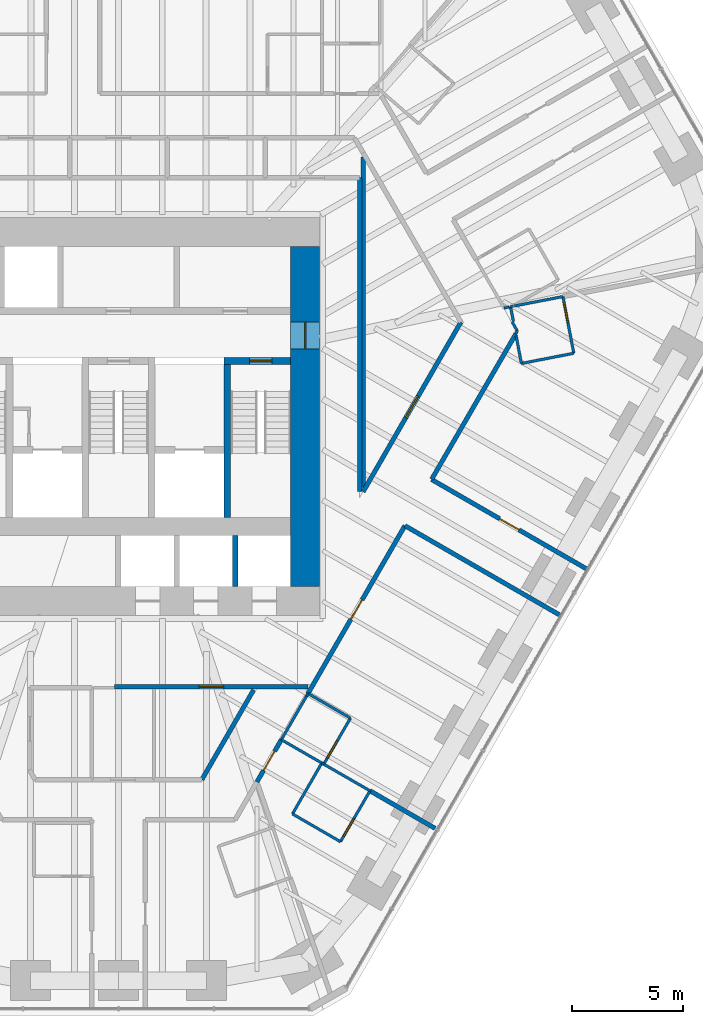
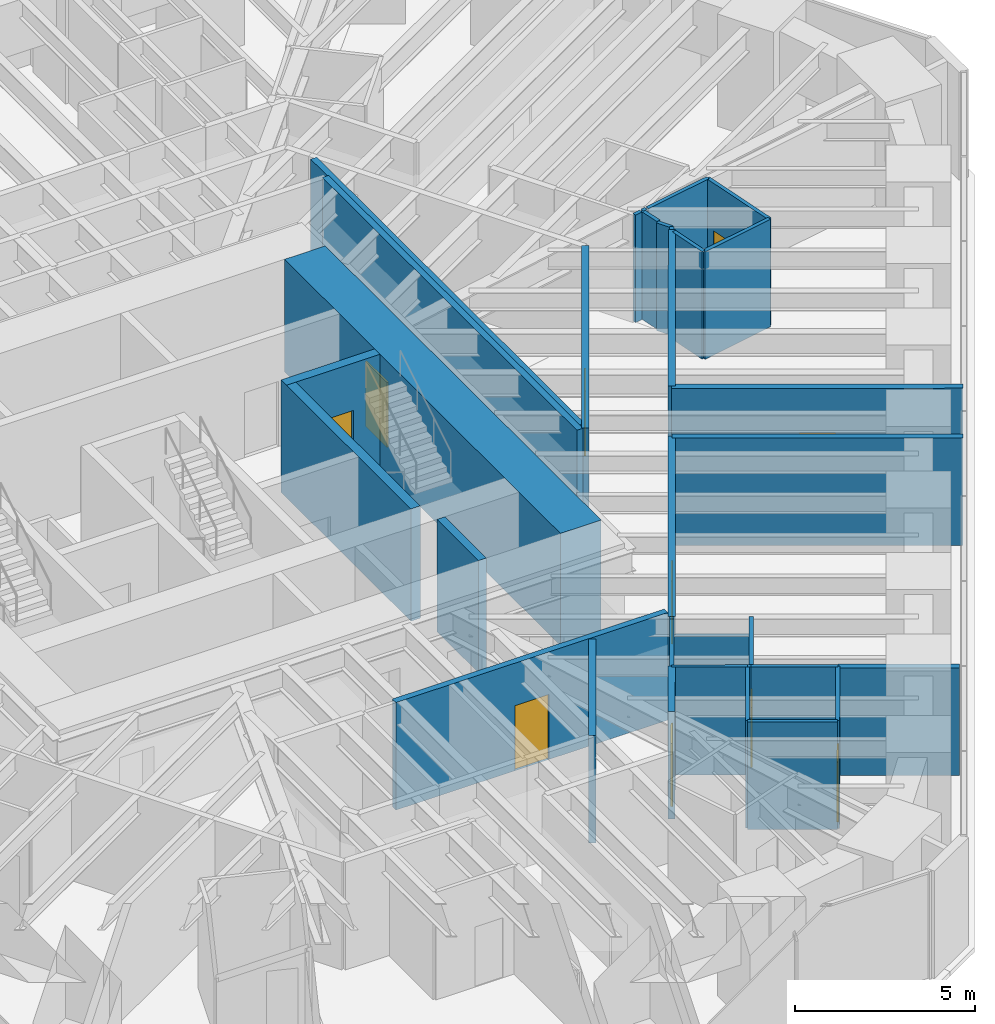
# One storey, part 13 of 17: 34 walls, 10 doors, 10 openings.
"""IFC4 building model written with IfcOpenShell, lengths in metres."""

from ifc_helpers import new_model, si_unit, direction, frame, frame_2d, origin, place, context, subcontext, project, spatial, rectangle, extrude, material, layer, layer_set, type_object, element, fill, save


model = new_model("IFC4")

# Units and contexts
model_context = context("Model", 3, precision=1e-05, world=origin(), true_north=direction((0.0, 1.0)))
body_context = subcontext(model_context, "Body", "Model", "MODEL_VIEW")
ifc_project = project(units=[si_unit("LENGTHUNIT", "METRE"), si_unit("AREAUNIT", "SQUARE_METRE"), si_unit("VOLUMEUNIT", "CUBIC_METRE"), si_unit("PLANEANGLEUNIT", "RADIAN"), si_unit("MASSUNIT", "GRAM", prefix="KILO")], contexts=[model_context])

# Site, building, storey
site_placement = place(None, origin())
site = spatial("IfcSite", under=ifc_project, at=site_placement, CompositionType="ELEMENT")
building_placement = place(site_placement, origin())
building = spatial("IfcBuilding", under=site, at=building_placement, Name="Sandreach Pilgrim Tower", CompositionType="ELEMENT")
storey_placement = place(building_placement, frame((0.0, 0.0, 108.199951171875)))
storey = spatial("IfcBuildingStorey", under=building, at=storey_placement, Name="L26", CompositionType="ELEMENT", Elevation=108.199951171875)

# Walls
ifc_material_1 = material(Name="Moisture-resistant gypsum board on steel studs", Category="steel")
ifc_layer_1 = layer(ifc_material_1, 0.1201171875)
ifc_layer_set_1 = layer_set([ifc_layer_1], Name="Bathroom partition 120")
wall_type_1 = type_object("IfcWallType", Name="Bathroom partition 120", PredefinedType="PARTITIONING", material=ifc_layer_set_1)
wall_1_placement = place(storey_placement, frame((7.330078125, -16.090087890625, 0.0), z_axis=(0.0, 0.0, 1.0), x_axis=(0.500786797394, 0.865570669302, 0.0)))
element("IfcWall", 1, at=wall_1_placement, inside=storey, type_object=wall_type_1, Name="Bathroom partition L26-106", PredefinedType="PARTITIONING", context=body_context, shape_type="SweptSolid", body=[
    extrude(rectangle(XDim=2.276123046875, YDim=0.1201171875, at=frame_2d((1.13818359375, 0.0))), origin(), (0.0, 0.0, 1.0), 3.64013671875),
])
wall_2_placement = place(storey_placement, frame((7.330078125, -16.090087890625, 0.0), z_axis=(0.0, 0.0, 1.0), x_axis=(0.86618365172, -0.499725806311, 0.0)))
element("IfcWall", 2, at=wall_2_placement, inside=storey, type_object=wall_type_1, Name="Bathroom partition L26-107", PredefinedType="PARTITIONING", context=body_context, shape_type="SweptSolid", body=[
    extrude(rectangle(XDim=2.101318359375, YDim=0.1201171875, at=frame_2d((1.05078125, 0.0))), origin(), (0.0, 0.0, 1.0), 3.64013671875),
])
wall_3_placement = place(storey_placement, frame((7.830078125, -19.429931640625, 0.0), z_axis=(0.0, 0.0, 1.0), x_axis=(0.865508881864, -0.500893576935, 0.0)))
element("IfcWall", 3, at=wall_3_placement, inside=storey, type_object=wall_type_1, Name="Bathroom partition L26-109", PredefinedType="PARTITIONING", context=body_context, shape_type="SweptSolid", body=[
    extrude(rectangle(XDim=2.49560546875, YDim=0.1201171875, at=frame_2d((1.247802734375, 0.0))), origin(), (0.0, 0.0, 1.0), 3.64013671875),
])
wall_4_placement = place(storey_placement, frame((8.469970703125, -14.1201171875, 0.0), z_axis=(0.0, 0.0, 1.0), x_axis=(0.478852130681, 0.877895572914, 0.0)))
element("IfcWall", 4, at=wall_4_placement, inside=storey, type_object=wall_type_1, Name="Bathroom partition L26-110", PredefinedType="PARTITIONING", context=body_context, shape_type="SweptSolid", body=[
    extrude(rectangle(XDim=0.12548828125, YDim=0.1201171875, at=frame_2d((0.062744140625, 0.0))), origin(), (0.0, 0.0, 1.0), 3.64013671875),
])
wall_5_placement = place(storey_placement, frame((9.14990234375, -17.139892578125, 0.0), z_axis=(0.0, 0.0, 1.0), x_axis=(-0.499338582192, -0.866406936915, 0.0)))
element("IfcWall", 5, at=wall_5_placement, inside=storey, type_object=wall_type_1, Name="Bathroom partition L26-113", PredefinedType="PARTITIONING", context=body_context, shape_type="SweptSolid", body=[
    extrude(rectangle(XDim=2.64306640625, YDim=0.1201171875, at=frame_2d((1.321533203125, 0.0))), origin(), (0.0, 0.0, 1.0), 3.64013671875),
])
wall_6_placement = place(storey_placement, frame((9.14990234375, -17.139892578125, 0.0), z_axis=(0.0, 0.0, 1.0), x_axis=(0.867366768559, -0.49766945737, 0.0)))
element("IfcWall", 6, at=wall_6_placement, inside=storey, type_object=wall_type_1, Name="Bathroom partition L26-114", PredefinedType="PARTITIONING", context=body_context, shape_type="SweptSolid", body=[
    extrude(rectangle(XDim=0.10302734375, YDim=0.1201171875, at=frame_2d((0.051513671875, 0.0))), origin(), (0.0, 0.0, 1.0), 3.64013671875),
])
wall_7_placement = place(storey_placement, frame((9.2392578125, -17.191162109375, 0.0), z_axis=(0.0, 0.0, 1.0), x_axis=(0.86649853798, -0.49917961064, 0.0)))
element("IfcWall", 7, at=wall_7_placement, inside=storey, type_object=wall_type_1, Name="Bathroom partition L26-122", PredefinedType="PARTITIONING", context=body_context, shape_type="SweptSolid", body=[
    extrude(rectangle(XDim=2.4013671875, YDim=0.1201171875, at=frame_2d((1.20068359375, 0.0))), origin(), (0.0, 0.0, 1.0), 3.64013671875),
])

# Wall, opening, door
wall_8_placement = place(storey_placement, frame((9.239990234375, -17.18994140625, 0.0), z_axis=(0.0, 0.0, 1.0), x_axis=(0.501502765098, 0.865156041763, 0.0)))
wall_8 = element("IfcWall", 8, at=wall_8_placement, inside=storey, type_object=wall_type_1, Name="Bathroom partition L26-123", PredefinedType="PARTITIONING", context=body_context, shape_type="SweptSolid", body=[
    extrude(rectangle(XDim=2.392822265625, YDim=0.1201171875, at=frame_2d((1.1962890625, 0.0))), origin(), (0.0, 0.0, 1.0), 3.64013671875),
])
opening_1_placement = place(wall_8_placement, frame((0.300048828125, 0.0, 0.0)))
opening_1 = element("IfcOpeningElement", 9, at=opening_1_placement, cuts=wall_8, Name="Opening D09-08B", PredefinedType="OPENING", context=body_context, shape_type="SweptSolid", body=[
    extrude(rectangle(XDim=0.89990234375, YDim=2.030029296875, at=frame_2d((0.449951171875, 1.01513671875))), frame((0.0, 0.06005859375, 0.0), z_axis=(0.0, -1.0, 0.0), x_axis=(1.0, 0.0, 0.0)), (0.0, 0.0, 1.0), 0.1201171875),
])
ifc_material_2 = material(Name="Timber door, steel frame", Category="steel")
door_type_1 = type_object("IfcDoorType", Name="Bathroom door", OperationType="SINGLE_SWING_LEFT", PredefinedType="DOOR", material=ifc_material_2)
door_1_placement = place(opening_1_placement, origin())
door_1 = element("IfcDoor", 10, at=door_1_placement, inside=storey, type_object=door_type_1, Name="Door 2608B", OperationType="SINGLE_SWING_LEFT", OverallHeight=2.030029296875, OverallWidth=0.89990234375, PredefinedType="DOOR", context=body_context, shape_type="SweptSolid", body=[
    extrude(rectangle(XDim=0.89990234375, YDim=2.030029296875, at=frame_2d((0.449951171875, 1.01513671875))), frame((0.0, 0.02490234375, 0.0), z_axis=(0.0, -1.0, 0.0), x_axis=(1.0, 0.0, 0.0)), (0.0, 0.0, 1.0), 0.050048828125),
])
fill(opening_1, door_1)

wall_9_placement = place(storey_placement, frame((9.989990234375, -20.679931640625, 0.0), z_axis=(0.0, 0.0, 1.0), x_axis=(0.502242265546, 0.864726954997, 0.0)))
wall_9 = element("IfcWall", 11, at=wall_9_placement, inside=storey, type_object=wall_type_1, Name="Bathroom partition L26-124", PredefinedType="PARTITIONING", context=body_context, shape_type="SweptSolid", body=[
    extrude(rectangle(XDim=2.648193359375, YDim=0.1201171875, at=frame_2d((1.32421875, 0.0))), origin(), (0.0, 0.0, 1.0), 3.64013671875),
])
opening_2_placement = place(wall_9_placement, frame((0.300048828125, 0.0, 0.0)))
opening_2 = element("IfcOpeningElement", 12, at=opening_2_placement, cuts=wall_9, Name="Opening D09-09B", PredefinedType="OPENING", context=body_context, shape_type="SweptSolid", body=[
    extrude(rectangle(XDim=0.89990234375, YDim=2.030029296875, at=frame_2d((0.449951171875, 1.01513671875))), frame((0.0, 0.06005859375, 0.0), z_axis=(0.0, -1.0, 0.0), x_axis=(1.0, 0.0, 0.0)), (0.0, 0.0, 1.0), 0.1201171875),
])
door_2_placement = place(opening_2_placement, origin())
door_2 = element("IfcDoor", 13, at=door_2_placement, inside=storey, type_object=door_type_1, Name="Door 2609B", OperationType="SINGLE_SWING_LEFT", OverallHeight=2.030029296875, OverallWidth=0.89990234375, PredefinedType="DOOR", context=body_context, shape_type="SweptSolid", body=[
    extrude(rectangle(XDim=0.89990234375, YDim=2.030029296875, at=frame_2d((0.449951171875, 1.01513671875))), frame((0.0, 0.02490234375, 0.0), z_axis=(0.0, -1.0, 0.0), x_axis=(1.0, 0.0, 0.0)), (0.0, 0.0, 1.0), 0.050048828125),
])
fill(opening_2, door_2)

# Walls
wall_10_placement = place(storey_placement, frame((10.43994140625, -15.1201171875, 0.0), z_axis=(0.0, 0.0, 1.0), x_axis=(-0.864567486339, 0.502516727647, 0.0)))
element("IfcWall", 14, at=wall_10_placement, inside=storey, type_object=wall_type_1, Name="Bathroom partition L26-125", PredefinedType="PARTITIONING", context=body_context, shape_type="SweptSolid", body=[
    extrude(rectangle(XDim=2.208984375, YDim=0.1201171875, at=frame_2d((1.1044921875, 0.0))), origin(), (0.0, 0.0, 1.0), 3.02294921875),
])
wall_11_placement = place(storey_placement, frame((17.58203125, 3.383544921875, 0.0), z_axis=(0.0, 0.0, 1.0), x_axis=(-0.982006446981, -0.18884739365, 0.0)))
element("IfcWall", 15, at=wall_11_placement, inside=storey, type_object=wall_type_1, Name="Bathroom partition L26-149", PredefinedType="PARTITIONING", context=body_context, shape_type="SweptSolid", body=[
    extrude(rectangle(XDim=0.2392578125, YDim=0.1201171875, at=frame_2d((0.11962890625, 0.0))), origin(), (0.0, 0.0, 1.0), 3.64013671875),
])
wall_12_placement = place(storey_placement, frame((17.639892578125, 3.39990234375, 0.0), z_axis=(0.0, 0.0, 1.0), x_axis=(0.988371697651, 0.152057184254, 0.0)))
element("IfcWall", 16, at=wall_12_placement, inside=storey, type_object=wall_type_1, Name="Bathroom partition L26-150", PredefinedType="PARTITIONING", context=body_context, shape_type="SweptSolid", body=[
    extrude(rectangle(XDim=0.131591796875, YDim=0.1201171875, at=frame_2d((0.06591796875, 0.0))), origin(), (0.0, 0.0, 1.0), 3.64013671875),
])
wall_13_placement = place(storey_placement, frame((17.719970703125, 2.699951171875, 0.0), z_axis=(0.0, 0.0, 1.0), x_axis=(0.498530782172, -0.866871997025, 0.0)))
element("IfcWall", 17, at=wall_13_placement, inside=storey, type_object=wall_type_1, Name="Bathroom partition L26-151", PredefinedType="PARTITIONING", context=body_context, shape_type="SweptSolid", body=[
    extrude(rectangle(XDim=0.46142578125, YDim=0.1201171875, at=frame_2d((0.230712890625, 0.0))), origin(), (0.0, 0.0, 1.0), 3.64013671875),
])
wall_14_placement = place(storey_placement, frame((17.773681640625, 2.7314453125, 0.0), z_axis=(0.0, 0.0, 1.0), x_axis=(-0.196253874553, 0.980553117747, 0.0)))
element("IfcWall", 18, at=wall_14_placement, inside=storey, type_object=wall_type_1, Name="Bathroom partition L26-153", PredefinedType="PARTITIONING", context=body_context, shape_type="SweptSolid", body=[
    extrude(rectangle(XDim=0.681640625, YDim=0.1201171875, at=frame_2d((0.3408203125, 0.0))), origin(), (0.0, 0.0, 1.0), 3.64013671875),
])
wall_15_placement = place(storey_placement, frame((17.814208984375, 3.428466796875, 0.0), z_axis=(0.0, 0.0, 1.0), x_axis=(0.981899119444, 0.189404644173, 0.0)))
element("IfcWall", 19, at=wall_15_placement, inside=storey, type_object=wall_type_1, Name="Bathroom partition L26-154", PredefinedType="PARTITIONING", context=body_context, shape_type="SweptSolid", body=[
    extrude(rectangle(XDim=2.22607421875, YDim=0.1201171875, at=frame_2d((1.113037109375, 0.0))), origin(), (0.0, 0.0, 1.0), 3.64013671875),
])
wall_16_placement = place(storey_placement, frame((17.8798828125, 2.169921875, 0.0), z_axis=(0.0, 0.0, 1.0), x_axis=(0.474099823035, 0.880471099922, 0.0)))
element("IfcWall", 20, at=wall_16_placement, inside=storey, type_object=wall_type_1, Name="Bathroom partition L26-155", PredefinedType="PARTITIONING", context=body_context, shape_type="SweptSolid", body=[
    extrude(rectangle(XDim=0.147705078125, YDim=0.1201171875, at=frame_2d((0.07373046875, 0.0))), origin(), (0.0, 0.0, 1.0), 3.64013671875),
])
wall_17_placement = place(storey_placement, frame((17.896728515625, 2.08154296875, 0.0), z_axis=(0.0, 0.0, 1.0), x_axis=(0.184580266957, -0.982817442382, 0.0)))
element("IfcWall", 21, at=wall_17_placement, inside=storey, type_object=wall_type_1, Name="Bathroom partition L26-156", PredefinedType="PARTITIONING", context=body_context, shape_type="SweptSolid", body=[
    extrude(rectangle(XDim=1.26318359375, YDim=0.1201171875, at=frame_2d((0.631591796875, 0.0))), origin(), (0.0, 0.0, 1.0), 3.64013671875),
])
wall_18_placement = place(storey_placement, frame((18.1298828125, 0.840087890625, 0.0), z_axis=(0.0, 0.0, 1.0), x_axis=(0.981533392326, 0.191290877329, 0.0)))
element("IfcWall", 22, at=wall_18_placement, inside=storey, type_object=wall_type_1, Name="Bathroom partition L26-157", PredefinedType="PARTITIONING", context=body_context, shape_type="SweptSolid", body=[
    extrude(rectangle(XDim=2.404541015625, YDim=0.1201171875, at=frame_2d((1.2021484375, 0.0))), origin(), (0.0, 0.0, 1.0), 3.64013671875),
])

# Wall, opening, door
wall_19_placement = place(storey_placement, frame((20.489990234375, 1.300048828125, 0.0), z_axis=(0.0, 0.0, 1.0), x_axis=(-0.188697442844, 0.982035271802, 0.0)))
wall_19 = element("IfcWall", 23, at=wall_19_placement, inside=storey, type_object=wall_type_1, Name="Bathroom partition L26-161", PredefinedType="PARTITIONING", context=body_context, shape_type="SweptSolid", body=[
    extrude(rectangle(XDim=2.5966796875, YDim=0.1201171875, at=frame_2d((1.29833984375, 0.0))), origin(), (0.0, 0.0, 1.0), 3.64013671875),
])
opening_3_placement = place(wall_19_placement, frame((1.396728515625, 0.0, 0.0)))
opening_3 = element("IfcOpeningElement", 24, at=opening_3_placement, cuts=wall_19, Name="Opening D09-07B", PredefinedType="OPENING", context=body_context, shape_type="SweptSolid", body=[
    extrude(rectangle(XDim=0.89990234375, YDim=2.030029296875, at=frame_2d((0.449951171875, 1.01513671875))), frame((0.0, 0.06005859375, 0.0), z_axis=(0.0, -1.0, 0.0), x_axis=(1.0, 0.0, 0.0)), (0.0, 0.0, 1.0), 0.1201171875),
])
door_3_placement = place(opening_3_placement, origin())
door_3 = element("IfcDoor", 25, at=door_3_placement, inside=storey, type_object=door_type_1, Name="Door 2607B", OperationType="SINGLE_SWING_RIGHT", OverallHeight=2.030029296875, OverallWidth=0.89990234375, PredefinedType="DOOR", context=body_context, shape_type="SweptSolid", body=[
    extrude(rectangle(XDim=0.89990234375, YDim=2.030029296875, at=frame_2d((0.449951171875, 1.01513671875))), frame((0.0, 0.02490234375, 0.0), z_axis=(0.0, -1.0, 0.0), x_axis=(1.0, 0.0, 0.0)), (0.0, 0.0, 1.0), 0.050048828125),
])
fill(opening_3, door_3)

# Wall
ifc_material_3 = material(Name="Concrete 10000 psi", Category="concrete")
ifc_layer_2 = layer(ifc_material_3, 0.300048828125)
ifc_layer_set_2 = layer_set([ifc_layer_2], Name="Core inner wall 300")
wall_type_2 = type_object("IfcWallType", Name="Core inner wall 300", PredefinedType="SHEAR", material=ifc_layer_set_2)
wall_20_placement = place(storey_placement, frame((4.89990234375, -6.10009765625, 0.0), z_axis=(0.0, 0.0, 1.0), x_axis=(0.0, 1.0, 0.0)))
element("IfcWall", 26, at=wall_20_placement, inside=storey, type_object=wall_type_2, Name="Core wall I3 L26", PredefinedType="SHEAR", context=body_context, shape_type="SweptSolid", body=[
    extrude(rectangle(XDim=7.2001953125, YDim=0.300048828125, at=frame_2d((3.60009765625, 0.0))), origin(), (0.0, 0.0, 1.0), 3.800048828125),
])

# Wall, opening, door
wall_21_placement = place(storey_placement, frame((4.75, 0.949951171875, 0.0), z_axis=(0.0, 0.0, 1.0), x_axis=(1.0, 0.0, 0.0)))
wall_21 = element("IfcWall", 27, at=wall_21_placement, inside=storey, type_object=wall_type_2, Name="Core wall SN2 L26", PredefinedType="SHEAR", context=body_context, shape_type="SweptSolid", body=[
    extrude(rectangle(XDim=3.0, YDim=0.300048828125, at=frame_2d((1.5, 0.0))), origin(), (0.0, 0.0, 1.0), 3.800048828125),
])
opening_4_placement = place(wall_21_placement, frame((1.14990234375, 0.0, 0.0)))
opening_4 = element("IfcOpeningElement", 28, at=opening_4_placement, cuts=wall_21, Name="Opening D10S-ST2", PredefinedType="OPENING", context=body_context, shape_type="SweptSolid", body=[
    extrude(rectangle(XDim=1.0, YDim=2.199951171875, at=frame_2d((0.5, 1.10009765625))), frame((0.0, 0.14990234375, 0.0), z_axis=(0.0, -1.0, 0.0), x_axis=(1.0, 0.0, 0.0)), (0.0, 0.0, 1.0), 0.300048828125),
])
ifc_material_4 = material(Name="Steel door and frame", Category="steel")
door_type_2 = type_object("IfcDoorType", Name="Stair door", OperationType="SINGLE_SWING_LEFT", PredefinedType="DOOR", material=ifc_material_4)
door_4_placement = place(opening_4_placement, origin())
door_4 = element("IfcDoor", 29, at=door_4_placement, inside=storey, type_object=door_type_2, Name="Stair door ST2 L26", OperationType="SINGLE_SWING_RIGHT", OverallHeight=2.199951171875, OverallWidth=1.0, PredefinedType="DOOR", context=body_context, shape_type="SweptSolid", body=[
    extrude(rectangle(XDim=1.0, YDim=2.199951171875, at=frame_2d((0.5, 1.10009765625))), frame((0.0, 0.02490234375, 0.0), z_axis=(0.0, -1.0, 0.0), x_axis=(1.0, 0.0, 0.0)), (0.0, 0.0, 1.0), 0.050048828125),
])
fill(opening_4, door_4)

ifc_material_5 = material(Name="Concrete 10000 psi", Category="concrete")
ifc_layer_3 = layer(ifc_material_5, 1.300048828125)
ifc_layer_set_3 = layer_set([ifc_layer_3], Name="Core wall 1300")
wall_type_3 = type_object("IfcWallType", Name="Core wall 1300", PredefinedType="SHEAR", material=ifc_layer_set_3)
wall_22_placement = place(storey_placement, frame((8.39990234375, -9.199951171875, 0.0), z_axis=(0.0, 0.0, 1.0), x_axis=(0.0, 1.0, 0.0)))
wall_22 = element("IfcWall", 30, at=wall_22_placement, inside=storey, type_object=wall_type_3, Name="Core wall E L26", PredefinedType="SHEAR", context=body_context, shape_type="SweptSolid", body=[
    extrude(rectangle(XDim=15.300048828125, YDim=1.300048828125, at=frame_2d((7.64990234375, 0.0))), origin(), (0.0, 0.0, 1.0), 3.800048828125),
])
opening_5_placement = place(wall_22_placement, frame((10.699951171875, 0.0, 0.0)))
opening_5 = element("IfcOpeningElement", 31, at=opening_5_placement, cuts=wall_22, Name="Opening D12F-E", PredefinedType="OPENING", context=body_context, shape_type="SweptSolid", body=[
    extrude(rectangle(XDim=1.199951171875, YDim=2.199951171875, at=frame_2d((0.60009765625, 1.10009765625))), frame((0.0, 0.64990234375, 0.0), z_axis=(0.0, -1.0, 0.0), x_axis=(1.0, 0.0, 0.0)), (0.0, 0.0, 1.0), 1.300048828125),
])
ifc_material_6 = material(Name="Steel door and frame", Category="steel")
door_type_3 = type_object("IfcDoorType", Name="Fire lobby door", OperationType="SINGLE_SWING_LEFT", PredefinedType="DOOR", material=ifc_material_6)
door_5_placement = place(opening_5_placement, origin())
door_5 = element("IfcDoor", 32, at=door_5_placement, inside=storey, type_object=door_type_3, Name="Fire service lobby door E L26", OperationType="SINGLE_SWING_RIGHT", OverallHeight=2.199951171875, OverallWidth=1.199951171875, PredefinedType="DOOR", context=body_context, shape_type="SweptSolid", body=[
    extrude(rectangle(XDim=1.199951171875, YDim=2.199951171875, at=frame_2d((0.60009765625, 1.10009765625))), frame((0.0, 0.02490234375, 0.0), z_axis=(0.0, -1.0, 0.0), x_axis=(1.0, 0.0, 0.0)), (0.0, 0.0, 1.0), 0.050048828125),
])
fill(opening_5, door_5)

# Wall
ifc_material_7 = material(Name="Gypsum board on steel studs, two layers each side", Category="steel")
ifc_layer_4 = layer(ifc_material_7, 0.199951171875)
ifc_layer_set_4 = layer_set([ifc_layer_4], Name="Corridor wall 200")
wall_type_4 = type_object("IfcWallType", Name="Corridor wall 200", PredefinedType="PARTITIONING", material=ifc_layer_set_4)
wall_23_placement = place(storey_placement, frame((6.08251953125, -13.849609375, 0.0), z_axis=(0.0, 0.0, 1.0), x_axis=(-0.499977643516, -0.866038310922, 0.0)))
element("IfcWall", 33, at=wall_23_placement, inside=storey, type_object=wall_type_4, Name="Corridor wall L26-096", PredefinedType="PARTITIONING", context=body_context, shape_type="SweptSolid", body=[
    extrude(rectangle(XDim=4.665283203125, YDim=0.199951171875, at=frame_2d((2.33251953125, 0.0))), origin(), (0.0, 0.0, 1.0), 3.64013671875),
])

# Wall, opening, door
wall_24_placement = place(storey_placement, frame((6.22998046875, -17.989990234375, 0.0), z_axis=(0.0, 0.0, 1.0), x_axis=(0.501088872721, 0.865395829453, 0.0)))
wall_24 = element("IfcWall", 34, at=wall_24_placement, inside=storey, type_object=wall_type_4, Name="Corridor wall L26-097", PredefinedType="PARTITIONING", context=body_context, shape_type="SweptSolid", body=[
    extrude(rectangle(XDim=2.1953125, YDim=0.199951171875, at=frame_2d((1.09765625, 0.0))), origin(), (0.0, 0.0, 1.0), 3.64013671875),
])
opening_6_placement = place(wall_24_placement, frame((0.59765625, 0.0, 0.0)))
opening_6 = element("IfcOpeningElement", 35, at=opening_6_placement, cuts=wall_24, Name="Opening D10-09", PredefinedType="OPENING", context=body_context, shape_type="SweptSolid", body=[
    extrude(rectangle(XDim=1.0, YDim=2.1298828125, at=frame_2d((0.5, 1.06494140625))), frame((0.0, 0.10009765625, 0.0), z_axis=(0.0, -1.0, 0.0), x_axis=(1.0, 0.0, 0.0)), (0.0, 0.0, 1.0), 0.199951171875),
])
ifc_material_8 = material(Name="Steel door and frame", Category="steel")
door_type_4 = type_object("IfcDoorType", Name="Guest room entry door", OperationType="SINGLE_SWING_LEFT", PredefinedType="DOOR", material=ifc_material_8)
door_6_placement = place(opening_6_placement, origin())
door_6 = element("IfcDoor", 36, at=door_6_placement, inside=storey, type_object=door_type_4, Name="Door 2609", OperationType="SINGLE_SWING_LEFT", OverallHeight=2.1298828125, OverallWidth=1.0, PredefinedType="DOOR", context=body_context, shape_type="SweptSolid", body=[
    extrude(rectangle(XDim=1.0, YDim=2.1298828125, at=frame_2d((0.5, 1.06494140625))), frame((0.0, 0.02490234375, 0.0), z_axis=(0.0, -1.0, 0.0), x_axis=(1.0, 0.0, 0.0)), (0.0, 0.0, 1.0), 0.050048828125),
])
fill(opening_6, door_6)

wall_25_placement = place(storey_placement, frame((8.530029296875, -14.010009765625, 0.0), z_axis=(0.0, 0.0, 1.0), x_axis=(0.500072306674, 0.865983653482, 0.0)))
wall_25 = element("IfcWall", 37, at=wall_25_placement, inside=storey, type_object=wall_type_4, Name="Corridor wall L26-111", PredefinedType="PARTITIONING", context=body_context, shape_type="SweptSolid", body=[
    extrude(rectangle(XDim=8.718505859375, YDim=0.199951171875, at=frame_2d((4.359375, 0.0))), origin(), (0.0, 0.0, 1.0), 3.64013671875),
])
opening_7_placement = place(wall_25_placement, frame((3.859375, 0.0, 0.0)))
opening_7 = element("IfcOpeningElement", 38, at=opening_7_placement, cuts=wall_25, Name="Opening D10-08", PredefinedType="OPENING", context=body_context, shape_type="SweptSolid", body=[
    extrude(rectangle(XDim=1.0, YDim=2.1298828125, at=frame_2d((0.5, 1.06494140625))), frame((0.0, 0.10009765625, 0.0), z_axis=(0.0, -1.0, 0.0), x_axis=(1.0, 0.0, 0.0)), (0.0, 0.0, 1.0), 0.199951171875),
])
door_7_placement = place(opening_7_placement, origin())
door_7 = element("IfcDoor", 39, at=door_7_placement, inside=storey, type_object=door_type_4, Name="Door 2608", OperationType="SINGLE_SWING_LEFT", OverallHeight=2.1298828125, OverallWidth=1.0, PredefinedType="DOOR", context=body_context, shape_type="SweptSolid", body=[
    extrude(rectangle(XDim=1.0, YDim=2.1298828125, at=frame_2d((0.5, 1.06494140625))), frame((0.0, 0.02490234375, 0.0), z_axis=(0.0, -1.0, 0.0), x_axis=(1.0, 0.0, 0.0)), (0.0, 0.0, 1.0), 0.050048828125),
])
fill(opening_7, door_7)

wall_26_placement = place(storey_placement, frame((8.53369140625, -13.699951171875, 0.0), z_axis=(0.0, 0.0, 1.0), x_axis=(-1.0, 0.0, 0.0)))
wall_26 = element("IfcWall", 40, at=wall_26_placement, inside=storey, type_object=wall_type_4, Name="Corridor wall L26-112", PredefinedType="PARTITIONING", context=body_context, shape_type="SweptSolid", body=[
    extrude(rectangle(XDim=8.70361328125, YDim=0.199951171875, at=frame_2d((4.351806640625, 0.0))), origin(), (0.0, 0.0, 1.0), 3.64013671875),
])
opening_8_placement = place(wall_26_placement, frame((3.8017578125, 0.0, 0.0)))
opening_8 = element("IfcOpeningElement", 41, at=opening_8_placement, cuts=wall_26, Name="Opening D11H-S4", PredefinedType="OPENING", context=body_context, shape_type="SweptSolid", body=[
    extrude(rectangle(XDim=1.10009765625, YDim=2.199951171875, at=frame_2d((0.550048828125, 1.10009765625))), frame((0.0, 0.10009765625, 0.0), z_axis=(0.0, -1.0, 0.0), x_axis=(1.0, 0.0, 0.0)), (0.0, 0.0, 1.0), 0.199951171875),
])
ifc_material_9 = material(Name="Steel door and frame", Category="steel")
door_type_5 = type_object("IfcDoorType", Name="Back of house door", OperationType="SINGLE_SWING_LEFT", PredefinedType="DOOR", material=ifc_material_9)
door_8_placement = place(opening_8_placement, origin())
door_8 = element("IfcDoor", 42, at=door_8_placement, inside=storey, type_object=door_type_5, Name="Door 26S4", OperationType="SINGLE_SWING_LEFT", OverallHeight=2.199951171875, OverallWidth=1.10009765625, PredefinedType="DOOR", context=body_context, shape_type="SweptSolid", body=[
    extrude(rectangle(XDim=1.10009765625, YDim=2.199951171875, at=frame_2d((0.550048828125, 1.10009765625))), frame((0.0, 0.02490234375, 0.0), z_axis=(0.0, -1.0, 0.0), x_axis=(1.0, 0.0, 0.0)), (0.0, 0.0, 1.0), 0.050048828125),
])
fill(opening_8, door_8)

# Walls
wall_27_placement = place(storey_placement, frame((10.85009765625, -4.909912109375, 0.0), z_axis=(0.0, 0.0, 1.0), x_axis=(0.0, 1.0, 0.0)))
element("IfcWall", 43, at=wall_27_placement, inside=storey, type_object=wall_type_4, Name="Corridor wall L26-128", PredefinedType="PARTITIONING", context=body_context, shape_type="SweptSolid", body=[
    extrude(rectangle(XDim=14.10986328125, YDim=0.199951171875, at=frame_2d((7.054931640625, 0.0))), origin(), (0.0, 0.0, 1.0), 3.64013671875),
])
wall_28_placement = place(storey_placement, frame((12.898681640625, -6.465087890625, 0.0), z_axis=(0.0, 0.0, 1.0), x_axis=(0.866184578051, -0.499724200681, 0.0)))
element("IfcWall", 44, at=wall_28_placement, inside=storey, type_object=wall_type_4, Name="Corridor wall L26-139", PredefinedType="PARTITIONING", context=body_context, shape_type="SweptSolid", body=[
    extrude(rectangle(XDim=8.064453125, YDim=0.199951171875, at=frame_2d((4.0322265625, 0.0))), origin(), (0.0, 0.0, 1.0), 3.64013671875),
])
wall_29_placement = place(storey_placement, frame((14.097412109375, -4.366943359375, 0.0), z_axis=(0.0, 0.0, 1.0), x_axis=(0.500859137679, 0.865528811885, 0.0)))
element("IfcWall", 45, at=wall_29_placement, inside=storey, type_object=wall_type_4, Name="Corridor wall L26-143", PredefinedType="PARTITIONING", context=body_context, shape_type="SweptSolid", body=[
    extrude(rectangle(XDim=7.552490234375, YDim=0.199951171875, at=frame_2d((3.7763671875, 0.0))), origin(), (0.0, 0.0, 1.0), 3.64013671875),
])

# Wall, opening, door
wall_30_placement = place(storey_placement, frame((15.409912109375, 2.699951171875, 0.0), z_axis=(0.0, 0.0, 1.0), x_axis=(-0.499556067326, -0.866281556769, 0.0)))
wall_30 = element("IfcWall", 46, at=wall_30_placement, inside=storey, type_object=wall_type_4, Name="Corridor wall L26-147", PredefinedType="PARTITIONING", context=body_context, shape_type="SweptSolid", body=[
    extrude(rectangle(XDim=8.8076171875, YDim=0.199951171875, at=frame_2d((4.40380859375, 0.0))), origin(), (0.0, 0.0, 1.0), 3.64013671875),
])
opening_9_placement = place(wall_30_placement, frame((3.85400390625, 0.0, 0.0)))
opening_9 = element("IfcOpeningElement", 47, at=opening_9_placement, cuts=wall_30, Name="Opening D11H-M07", PredefinedType="OPENING", context=body_context, shape_type="SweptSolid", body=[
    extrude(rectangle(XDim=1.10009765625, YDim=2.199951171875, at=frame_2d((0.550048828125, 1.10009765625))), frame((0.0, 0.10009765625, 0.0), z_axis=(0.0, -1.0, 0.0), x_axis=(1.0, 0.0, 0.0)), (0.0, 0.0, 1.0), 0.199951171875),
])
door_9_placement = place(opening_9_placement, origin())
door_9 = element("IfcDoor", 48, at=door_9_placement, inside=storey, type_object=door_type_5, Name="Door 26M07", OperationType="SINGLE_SWING_LEFT", OverallHeight=2.199951171875, OverallWidth=1.10009765625, PredefinedType="DOOR", context=body_context, shape_type="SweptSolid", body=[
    extrude(rectangle(XDim=1.10009765625, YDim=2.199951171875, at=frame_2d((0.550048828125, 1.10009765625))), frame((0.0, 0.02490234375, 0.0), z_axis=(0.0, -1.0, 0.0), x_axis=(1.0, 0.0, 0.0)), (0.0, 0.0, 1.0), 0.050048828125),
])
fill(opening_9, door_9)

wall_31_placement = place(storey_placement, frame((21.083984375, -8.4150390625, 0.0), z_axis=(0.0, 0.0, 1.0), x_axis=(-0.866174008169, 0.499742521277, 0.0)))
wall_31 = element("IfcWall", 49, at=wall_31_placement, inside=storey, type_object=wall_type_4, Name="Corridor wall L26-162", PredefinedType="PARTITIONING", context=body_context, shape_type="SweptSolid", body=[
    extrude(rectangle(XDim=8.074462890625, YDim=0.199951171875, at=frame_2d((4.037109375, 0.0))), origin(), (0.0, 0.0, 1.0), 3.64013671875),
])
opening_10_placement = place(wall_31_placement, frame((3.537353515625, 0.0, 0.0)))
opening_10 = element("IfcOpeningElement", 50, at=opening_10_placement, cuts=wall_31, Name="Opening D10-07", PredefinedType="OPENING", context=body_context, shape_type="SweptSolid", body=[
    extrude(rectangle(XDim=1.0, YDim=2.1298828125, at=frame_2d((0.5, 1.06494140625))), frame((0.0, 0.10009765625, 0.0), z_axis=(0.0, -1.0, 0.0), x_axis=(1.0, 0.0, 0.0)), (0.0, 0.0, 1.0), 0.199951171875),
])
door_10_placement = place(opening_10_placement, origin())
door_10 = element("IfcDoor", 51, at=door_10_placement, inside=storey, type_object=door_type_4, Name="Door 2607", OperationType="SINGLE_SWING_LEFT", OverallHeight=2.1298828125, OverallWidth=1.0, PredefinedType="DOOR", context=body_context, shape_type="SweptSolid", body=[
    extrude(rectangle(XDim=1.0, YDim=2.1298828125, at=frame_2d((0.5, 1.06494140625))), frame((0.0, 0.02490234375, 0.0), z_axis=(0.0, -1.0, 0.0), x_axis=(1.0, 0.0, 0.0)), (0.0, 0.0, 1.0), 0.050048828125),
])
fill(opening_10, door_10)

# Walls
ifc_material_10 = material(Name="Double steel stud acoustic wall, gypsum board", Category="steel")
ifc_layer_5 = layer(ifc_material_10, 0.199951171875)
ifc_layer_set_5 = layer_set([ifc_layer_5], Name="Party wall 200")
wall_type_5 = type_object("IfcWallType", Name="Party wall 200", PredefinedType="PARTITIONING", material=ifc_layer_set_5)
wall_32_placement = place(storey_placement, frame((11.010009765625, 10.125, 0.0), z_axis=(0.0, 0.0, 1.0), x_axis=(0.0, -1.0, 0.0)))
element("IfcWall", 52, at=wall_32_placement, inside=storey, type_object=wall_type_5, Name="Party wall L26-129", PredefinedType="PARTITIONING", context=body_context, shape_type="SweptSolid", body=[
    extrude(rectangle(XDim=14.85498046875, YDim=0.199951171875, at=frame_2d((7.427490234375, 0.0))), origin(), (0.0, 0.0, 1.0), 3.64013671875),
])
wall_33_placement = place(storey_placement, frame((11.320068359375, -18.389892578125, 0.0), z_axis=(0.0, 0.0, 1.0), x_axis=(0.865917229834, -0.50018731599, 0.0)))
element("IfcWall", 53, at=wall_33_placement, inside=storey, type_object=wall_type_5, Name="Party wall L26-133", PredefinedType="PARTITIONING", context=body_context, shape_type="SweptSolid", body=[
    extrude(rectangle(XDim=3.379150390625, YDim=0.199951171875, at=frame_2d((1.689453125, 0.0))), origin(), (0.0, 0.0, 1.0), 3.64013671875),
])
ifc_material_11 = material(Name="Gypsum shaft wall on steel studs, two layers of shaft liner board", Category="steel")
ifc_layer_6 = layer(ifc_material_11, 0.25)
ifc_layer_set_6 = layer_set([ifc_layer_6], Name="Shaft partition 250")
wall_type_6 = type_object("IfcWallType", Name="Shaft partition 250", PredefinedType="PARTITIONING", material=ifc_layer_set_6)
wall_34_placement = place(storey_placement, frame((5.25, -9.199951171875, 0.0), z_axis=(0.0, 0.0, 1.0), x_axis=(0.0, 1.0, 0.0)))
element("IfcWall", 54, at=wall_34_placement, inside=storey, type_object=wall_type_6, Name="Shaft partition XS4 L26", PredefinedType="PARTITIONING", context=body_context, shape_type="SweptSolid", body=[
    extrude(rectangle(XDim=2.300048828125, YDim=0.25, at=frame_2d((1.14990234375, 0.0))), origin(), (0.0, 0.0, 1.0), 3.800048828125),
])

save(model, "model.ifc")
